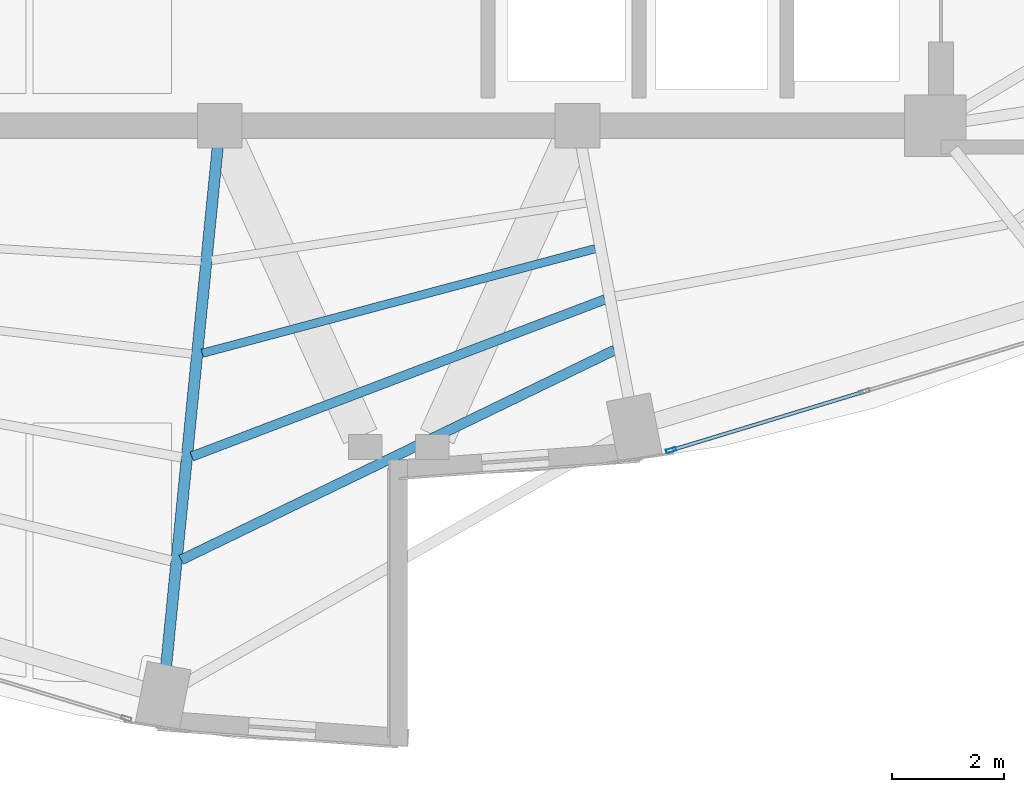
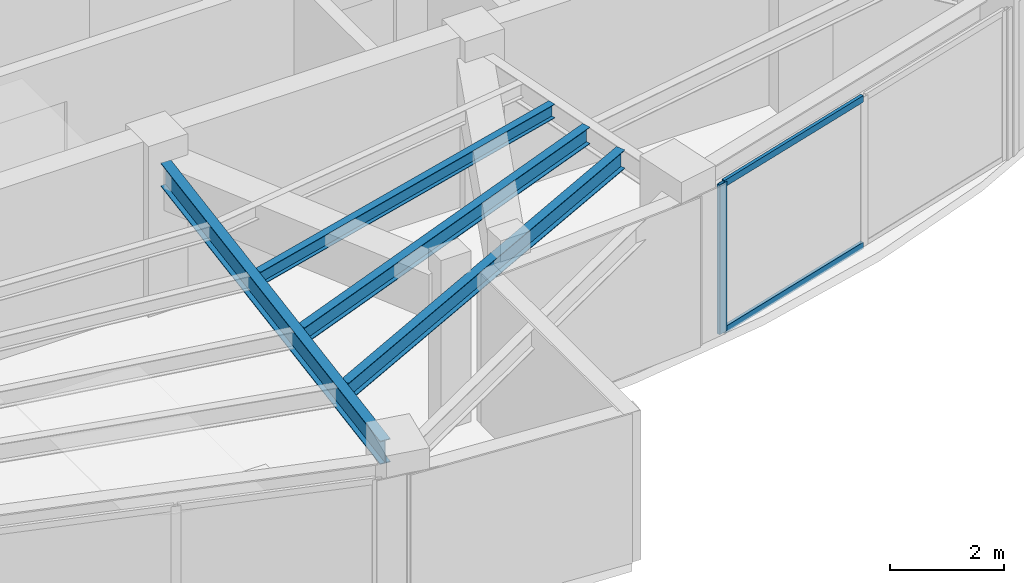
# One storey, part 6 of 22: 4 beams, 3 members, 1 element without a shape of its own.
"""IFC4 building model written with IfcOpenShell, lengths in metres."""

from ifc_helpers import new_model, si_unit, direction, frame, origin, origin_2d, place, context, subcontext, project, spatial, hollow_rectangle, i_section, extrude, material, layer, layer_set, material_profile, profile_set, type_object, element, aggregate, save


model = new_model("IFC4")

# Units and contexts
model_context = context("Model", 3, precision=1e-05, world=origin(), true_north=direction((0.0, 1.0)))
body_context = subcontext(model_context, "Body", "Model", "MODEL_VIEW")
ifc_project = project(units=[si_unit("LENGTHUNIT", "METRE"), si_unit("AREAUNIT", "SQUARE_METRE"), si_unit("VOLUMEUNIT", "CUBIC_METRE"), si_unit("PLANEANGLEUNIT", "RADIAN"), si_unit("MASSUNIT", "GRAM", prefix="KILO")], contexts=[model_context])

# Site, building, storey
site_placement = place(None, origin())
site = spatial("IfcSite", under=ifc_project, at=site_placement, CompositionType="ELEMENT")
building_placement = place(site_placement, origin())
building = spatial("IfcBuilding", under=site, at=building_placement, Name="Lazwardi Medical Tower", CompositionType="ELEMENT")
storey_placement = place(building_placement, frame((0.0, 0.0, 242.256103515625)))
storey = spatial("IfcBuildingStorey", under=building, at=storey_placement, Name="L63", CompositionType="ELEMENT", Elevation=242.256103515625)

# Beams
ifc_material_1 = material(Name="Steel S355", Category="steel")
ifc_material_profile_1 = material_profile(ifc_material_1, i_section(OverallWidth=0.199951171875, OverallDepth=0.5, WebThickness=0.01025390625, FlangeThickness=0.01611328125, at=origin_2d()), Name="IPE 500")
ifc_profile_set_1 = profile_set([ifc_material_profile_1], Name="Steel S355")
beam_type_1 = type_object("IfcBeamType", Name="BM-RG-W3", PredefinedType="BEAM", material=ifc_profile_set_1)
beam_1_placement = place(storey_placement, frame((31.8388671875, 10.734130859375, 2.947998046875), z_axis=(0.098954361922, 0.995091972763, 0.0), x_axis=(-0.995091972763, 0.098954361922, 0.0)))
element("IfcBeam", 1, at=beam_1_placement, inside=storey, type_object=beam_type_1, Name="Radial girder RG-04 R16 L63", PredefinedType="BEAM", context=body_context, shape_type="SweptSolid", body=[
    extrude(i_section(OverallWidth=0.199951171875, OverallDepth=0.5, WebThickness=0.01025390625, FlangeThickness=0.01611328125, at=origin_2d()), origin(), (0.0, 0.0, 1.0), 9.32861328125),
])
ifc_material_profile_2 = material_profile(ifc_material_1, i_section(OverallWidth=0.179931640625, OverallDepth=0.39990234375, WebThickness=0.008544921875, FlangeThickness=0.013427734375, at=origin_2d()), Name="IPE 400")
ifc_profile_set_2 = profile_set([ifc_material_profile_2], Name="Steel S355")
beam_type_2 = type_object("IfcBeamType", Name="BM-SJ-01", PredefinedType="JOIST", material=ifc_profile_set_2)
beam_2_placement = place(storey_placement, frame((32.10888671875, 12.632080078125, 2.997802734375), z_axis=(0.900068885459, 0.435747635024, 0.0), x_axis=(-0.435747635024, 0.900068885459, 0.0)))
element("IfcBeam", 2, at=beam_2_placement, inside=storey, type_object=beam_type_2, Name="Secondary joist SJ-01 R1 B16 L63", PredefinedType="JOIST", context=body_context, shape_type="SweptSolid", body=[
    extrude(i_section(OverallWidth=0.179931640625, OverallDepth=0.39990234375, WebThickness=0.008544921875, FlangeThickness=0.013427734375, at=origin_2d()), origin(), (0.0, 0.0, 1.0), 8.612548828125),
])
ifc_material_profile_3 = material_profile(ifc_material_1, i_section(OverallWidth=0.169921875, OverallDepth=0.360107421875, WebThickness=0.008056640625, FlangeThickness=0.0126953125, at=origin_2d()), Name="IPE 360")
ifc_profile_set_3 = profile_set([ifc_material_profile_3], Name="Steel S355")
beam_type_3 = type_object("IfcBeamType", Name="BM-SJ-02", PredefinedType="JOIST", material=ifc_profile_set_3)
beam_3_placement = place(storey_placement, frame((32.296875, 14.48095703125, 3.017822265625), z_axis=(0.934714470268, 0.355399576633, 0.0), x_axis=(-0.355399576633, 0.934714470268, 0.0)))
element("IfcBeam", 3, at=beam_3_placement, inside=storey, type_object=beam_type_3, Name="Secondary joist SJ-02 R2 B16 L63", PredefinedType="JOIST", context=body_context, shape_type="SweptSolid", body=[
    extrude(i_section(OverallWidth=0.169921875, OverallDepth=0.360107421875, WebThickness=0.008056640625, FlangeThickness=0.0126953125, at=origin_2d()), origin(), (0.0, 0.0, 1.0), 7.908203125),
])
ifc_material_profile_4 = material_profile(ifc_material_1, i_section(OverallWidth=0.14990234375, OverallDepth=0.300048828125, WebThickness=0.007080078125, FlangeThickness=0.0107421875, at=origin_2d()), Name="IPE 300")
ifc_profile_set_4 = profile_set([ifc_material_profile_4], Name="Steel S355")
beam_type_4 = type_object("IfcBeamType", Name="BM-SJ-03", PredefinedType="JOIST", material=ifc_profile_set_4)
beam_4_placement = place(storey_placement, frame((32.484619140625, 16.328125, 3.0478515625), z_axis=(0.966369007826, 0.257159368316, 0.0), x_axis=(-0.257159368316, 0.966369007826, 0.0)))
element("IfcBeam", 4, at=beam_4_placement, inside=storey, type_object=beam_type_4, Name="Secondary joist SJ-03 R3 B16 L63", PredefinedType="JOIST", context=body_context, shape_type="SweptSolid", body=[
    extrude(i_section(OverallWidth=0.14990234375, OverallDepth=0.300048828125, WebThickness=0.007080078125, FlangeThickness=0.0107421875, at=origin_2d()), origin(), (0.0, 0.0, 1.0), 7.27685546875),
])

# Curtain wall, members
ifc_material_2 = material(Name="Anodised bronze aluminium and solar control glazing", Category="aluminium")
ifc_layer = layer(ifc_material_2, 0.18994140625)
ifc_layer_set = layer_set([ifc_layer], Name="Anodised bronze aluminium and solar control glazing")
curtain_wall_type = type_object("IfcCurtainWallType", Name="CW-SYS-04", PredefinedType="NOTDEFINED", material=ifc_layer_set)
curtain_wall_placement = place(storey_placement, origin())
curtain_wall = element("IfcCurtainWall", 5, at=curtain_wall_placement, inside=storey, type_object=curtain_wall_type, Name="L63 Unitised bronze curtain wall CW-04", PredefinedType="NOTDEFINED")
ifc_material_3 = material(Name="Anodised bronze aluminium", Category="aluminium")
ifc_material_profile_5 = material_profile(ifc_material_3, hollow_rectangle(XDim=0.06494140625, YDim=0.179931640625, WallThickness=0.00390625, at=origin_2d()), Name="ALU-MULLION 180x65x4")
ifc_profile_set_5 = profile_set([ifc_material_profile_5], Name="Anodised bronze aluminium")
member_type_1 = type_object("IfcMemberType", Name="CW-MUL-03", PredefinedType="MULLION", material=ifc_profile_set_5)
member_1_placement = place(storey_placement, frame((40.873046875, 14.593017578125, 0.0), z_axis=(0.0, 0.0, 1.0), x_axis=(-0.290581889515, 0.956850126972, 0.0)))
member_1 = element("IfcMember", 6, at=member_1_placement, type_object=member_type_1, Name="CW-04 mullion 1", PredefinedType="MULLION", context=body_context, shape_type="SweptSolid", body=[
    extrude(hollow_rectangle(XDim=0.06494140625, YDim=0.179931640625, WallThickness=0.00390625, at=origin_2d()), origin(), (0.0, 0.0, 1.0), 3.197998046875),
])
ifc_material_profile_6 = material_profile(ifc_material_3, hollow_rectangle(XDim=0.06494140625, YDim=0.139892578125, WallThickness=0.00341796875, at=origin_2d()), Name="ALU-TRANSOM 140x65x3.5")
ifc_profile_set_6 = profile_set([ifc_material_profile_6], Name="Anodised bronze aluminium")
member_type_2 = type_object("IfcMemberType", Name="CW-TRN-03", PredefinedType="USERDEFINED", material=ifc_profile_set_6)
member_2_placement = place(storey_placement, frame((40.904296875, 14.602294921875, 0.032470703125), z_axis=(0.956843409009, 0.290604010015, 0.0), x_axis=(-0.290604010015, 0.956843409009, 0.0)))
member_2 = element("IfcMember", 7, at=member_2_placement, type_object=member_type_2, Name="CW-04 transom 1.1", ObjectType="TRANSOM", PredefinedType="USERDEFINED", context=body_context, shape_type="SweptSolid", body=[
    extrude(hollow_rectangle(XDim=0.06494140625, YDim=0.139892578125, WallThickness=0.00341796875, at=origin_2d()), origin(), (0.0, 0.0, 1.0), 3.554443359375),
])
member_3_placement = place(storey_placement, frame((40.904296875, 14.602294921875, 3.165283203125), z_axis=(0.956843409009, 0.290604010015, 0.0), x_axis=(-0.290604010015, 0.956843409009, 0.0)))
member_3 = element("IfcMember", 8, at=member_3_placement, type_object=member_type_2, Name="CW-04 transom 1.2", ObjectType="TRANSOM", PredefinedType="USERDEFINED", context=body_context, shape_type="SweptSolid", body=[
    extrude(hollow_rectangle(XDim=0.06494140625, YDim=0.139892578125, WallThickness=0.00341796875, at=origin_2d()), origin(), (0.0, 0.0, 1.0), 3.554443359375),
])
aggregate(curtain_wall, [member_1, member_2, member_3])

save(model, "model.ifc")
